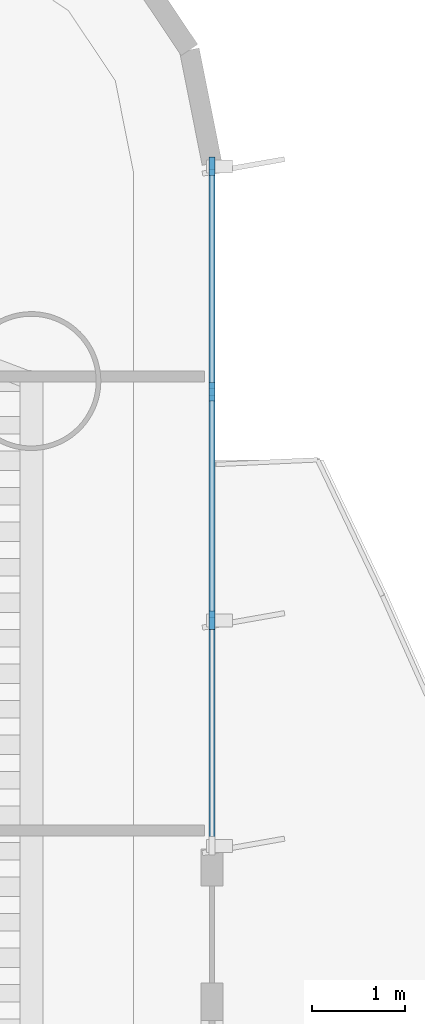
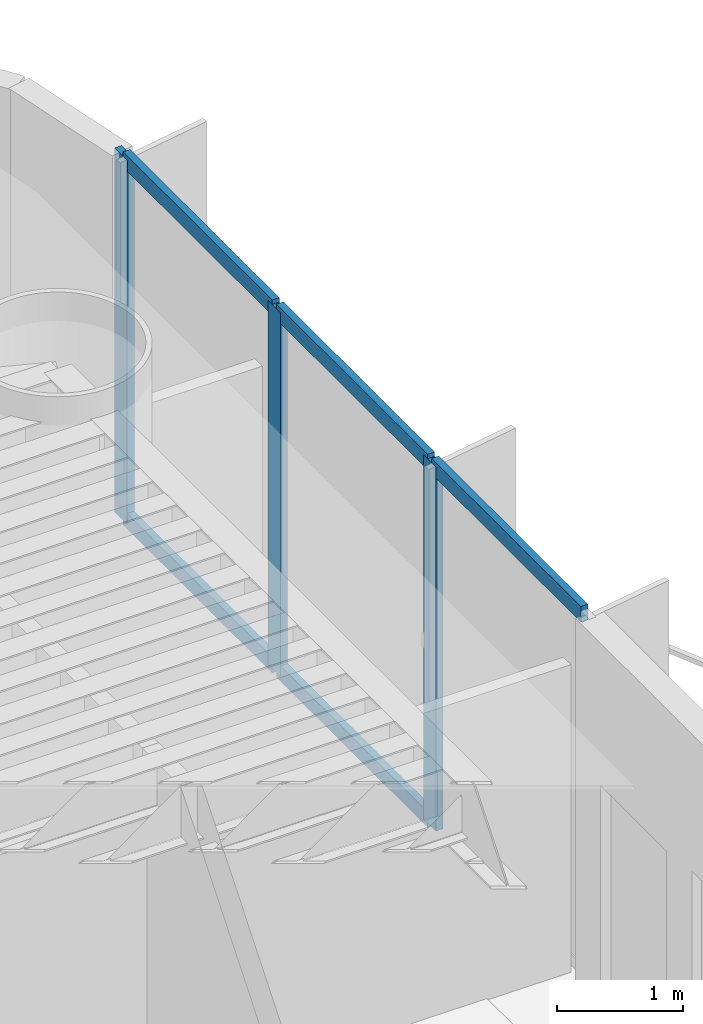
# One storey, part 6 of 19: 8 members, 1 element without a shape of its own.
"""IFC4 building model written with IfcOpenShell, lengths in metres."""

from ifc_helpers import new_model, si_unit, direction, frame, origin, origin_2d, place, context, subcontext, project, spatial, rectangle, extrude, source, transform, mapped, material, layer, layer_set, material_profile, profile_set, type_object, element, aggregate, save


model = new_model("IFC4")

# Units and contexts
model_context = context("Model", 3, precision=1e-05, world=origin(), true_north=direction((0.0, 1.0)))
body_context = subcontext(model_context, "Body", "Model", "MODEL_VIEW")
ifc_project = project(units=[si_unit("LENGTHUNIT", "METRE"), si_unit("AREAUNIT", "SQUARE_METRE"), si_unit("VOLUMEUNIT", "CUBIC_METRE"), si_unit("PLANEANGLEUNIT", "RADIAN"), si_unit("MASSUNIT", "GRAM", prefix="KILO")], contexts=[model_context])

# Site, building, storey
site_placement = place(None, origin())
site = spatial("IfcSite", under=ifc_project, at=site_placement, CompositionType="ELEMENT")
building_placement = place(site_placement, origin())
building = spatial("IfcBuilding", under=site, at=building_placement, Name="Brelvock Crest Care Tower", CompositionType="ELEMENT")
storey_placement = place(building_placement, frame((0.0, 0.0, 68.580078125)))
storey = spatial("IfcBuildingStorey", under=building, at=storey_placement, Name="L17", CompositionType="ELEMENT", Elevation=68.580078125)

# Curtain wall, members
ifc_material_1 = material(Name="Dark Glass Double Glazed Low-E", Category="glass")
ifc_layer = layer(ifc_material_1, 0.195068359375, Name="CWS-2")
ifc_layer_set = layer_set([ifc_layer], Name="Dark Glass Double Glazed Low-E")
curtain_wall_type = type_object("IfcCurtainWallType", Name="CWS-2", PredefinedType="NOTDEFINED", material=ifc_layer_set)
curtain_wall_placement = place(storey_placement, origin())
curtain_wall = element("IfcCurtainWall", 1, at=curtain_wall_placement, inside=storey, type_object=curtain_wall_type, Name="L17 Curtain Wall E03A", PredefinedType="NOTDEFINED")
ifc_material_2 = material(Name="Aluminium 6063-T6", Category="aluminium")
ifc_material_profile_1 = material_profile(ifc_material_2, rectangle(XDim=0.06494140625, YDim=0.199951171875, at=origin_2d()), Name="ALU65x200")
ifc_profile_set_1 = profile_set([ifc_material_profile_1], Name="Aluminium 6063-T6")
member_type_1 = type_object("IfcMemberType", Name="CWM-1", PredefinedType="MULLION", material=ifc_profile_set_1)
shared_shape_1 = source(origin(), body_context, "Body", "SweptSolid", [
    extrude(rectangle(XDim=0.06494140625, YDim=0.199951171875, at=origin_2d()), origin(), (0.0, 0.0, 1.0), 3.530029296875),
])
member_1_placement = place(storey_placement, frame((60.0, 32.767578125, 0.0), z_axis=(0.0, 0.0, 1.0), x_axis=(1.0, 0.0, 0.0)))
member_1 = element("IfcMember", 2, at=member_1_placement, type_object=member_type_1, Name="CW-2 mullion 1", PredefinedType="MULLION", context=body_context, shape_type="MappedRepresentation", body=[
    mapped(shared_shape_1, transform((0.0, 0.0, 0.0), x_axis=(1.0, 0.0, 0.0), y_axis=(0.0, 1.0, 0.0), z_axis=(0.0, 0.0, 1.0), scale=1.0)),
])
member_2_placement = place(storey_placement, frame((60.0, 30.333251953125, 0.0), z_axis=(0.0, 0.0, 1.0), x_axis=(1.0, 0.0, 0.0)))
member_2 = element("IfcMember", 3, at=member_2_placement, type_object=member_type_1, Name="CW-2 mullion 2", PredefinedType="MULLION", context=body_context, shape_type="MappedRepresentation", body=[
    mapped(shared_shape_1, transform((0.0, 0.0, 0.0), x_axis=(1.0, 0.0, 0.0), y_axis=(0.0, 1.0, 0.0), z_axis=(0.0, 0.0, 1.0), scale=1.0)),
])
member_3_placement = place(storey_placement, frame((60.0, 27.86669921875, 0.0), z_axis=(0.0, 0.0, 1.0), x_axis=(1.0, 0.0, 0.0)))
member_3 = element("IfcMember", 4, at=member_3_placement, type_object=member_type_1, Name="CW-2 mullion 3", PredefinedType="MULLION", context=body_context, shape_type="MappedRepresentation", body=[
    mapped(shared_shape_1, transform((0.0, 0.0, 0.0), x_axis=(1.0, 0.0, 0.0), y_axis=(0.0, 1.0, 0.0), z_axis=(0.0, 0.0, 1.0), scale=1.0)),
])
ifc_material_profile_2 = material_profile(ifc_material_2, rectangle(XDim=0.06494140625, YDim=0.14990234375, at=origin_2d()), Name="ALU65x150")
ifc_profile_set_2 = profile_set([ifc_material_profile_2], Name="Aluminium 6063-T6")
member_type_2 = type_object("IfcMemberType", Name="CWT-1", PredefinedType="USERDEFINED", material=ifc_profile_set_2)
shared_shape_2 = source(origin(), body_context, "Body", "SweptSolid", [
    extrude(rectangle(XDim=0.06494140625, YDim=0.14990234375, at=origin_2d()), origin(), (0.0, 0.0, 1.0), 2.369384765625),
])
member_4_placement = place(storey_placement, frame((60.0, 32.735107421875, 0.032470703125), z_axis=(0.0, -1.0, 0.0), x_axis=(1.0, 0.0, 0.0)))
member_4 = element("IfcMember", 5, at=member_4_placement, type_object=member_type_2, Name="CW-2 transom 1.1", ObjectType="TRANSOM", PredefinedType="USERDEFINED", context=body_context, shape_type="MappedRepresentation", body=[
    mapped(shared_shape_2, transform((0.0, 0.0, 0.0), x_axis=(1.0, 0.0, 0.0), y_axis=(0.0, 1.0, 0.0), z_axis=(0.0, 0.0, 1.0), scale=1.0)),
])
member_5_placement = place(storey_placement, frame((60.0, 32.735107421875, 3.497314453125), z_axis=(0.0, -1.0, 0.0), x_axis=(1.0, 0.0, 0.0)))
member_5 = element("IfcMember", 6, at=member_5_placement, type_object=member_type_2, Name="CW-2 transom 1.2", ObjectType="TRANSOM", PredefinedType="USERDEFINED", context=body_context, shape_type="MappedRepresentation", body=[
    mapped(shared_shape_2, transform((0.0, 0.0, 0.0), x_axis=(1.0, 0.0, 0.0), y_axis=(0.0, 1.0, 0.0), z_axis=(0.0, 0.0, 1.0), scale=1.0)),
])
shared_shape_3 = source(origin(), body_context, "Body", "SweptSolid", [
    extrude(rectangle(XDim=0.06494140625, YDim=0.14990234375, at=origin_2d()), origin(), (0.0, 0.0, 1.0), 2.401611328125),
])
member_6_placement = place(storey_placement, frame((60.0, 30.30078125, 0.032470703125), z_axis=(0.0, -1.0, 0.0), x_axis=(1.0, 0.0, 0.0)))
member_6 = element("IfcMember", 7, at=member_6_placement, type_object=member_type_2, Name="CW-2 transom 2.1", ObjectType="TRANSOM", PredefinedType="USERDEFINED", context=body_context, shape_type="MappedRepresentation", body=[
    mapped(shared_shape_3, transform((0.0, 0.0, 0.0), x_axis=(1.0, 0.0, 0.0), y_axis=(0.0, 1.0, 0.0), z_axis=(0.0, 0.0, 1.0), scale=1.0)),
])
member_7_placement = place(storey_placement, frame((60.0, 30.30078125, 3.497314453125), z_axis=(0.0, -1.0, 0.0), x_axis=(1.0, 0.0, 0.0)))
member_7 = element("IfcMember", 8, at=member_7_placement, type_object=member_type_2, Name="CW-2 transom 2.2", ObjectType="TRANSOM", PredefinedType="USERDEFINED", context=body_context, shape_type="MappedRepresentation", body=[
    mapped(shared_shape_3, transform((0.0, 0.0, 0.0), x_axis=(1.0, 0.0, 0.0), y_axis=(0.0, 1.0, 0.0), z_axis=(0.0, 0.0, 1.0), scale=1.0)),
])
shared_shape_4 = source(origin(), body_context, "Body", "SweptSolid", [
    extrude(rectangle(XDim=0.06494140625, YDim=0.14990234375, at=origin_2d()), origin(), (0.0, 0.0, 1.0), 2.369140625),
])
member_8_placement = place(storey_placement, frame((60.0, 27.834228515625, 3.497314453125), z_axis=(0.0, -1.0, 0.0), x_axis=(1.0, 0.0, 0.0)))
member_8 = element("IfcMember", 9, at=member_8_placement, type_object=member_type_2, Name="CW-2 transom 3.2", ObjectType="TRANSOM", PredefinedType="USERDEFINED", context=body_context, shape_type="MappedRepresentation", body=[
    mapped(shared_shape_4, transform((0.0, 0.0, 0.0), x_axis=(1.0, 0.0, 0.0), y_axis=(0.0, 1.0, 0.0), z_axis=(0.0, 0.0, 1.0), scale=1.0)),
])
aggregate(curtain_wall, [member_1, member_2, member_3, member_4, member_5, member_6, member_7, member_8])

save(model, "model.ifc")
